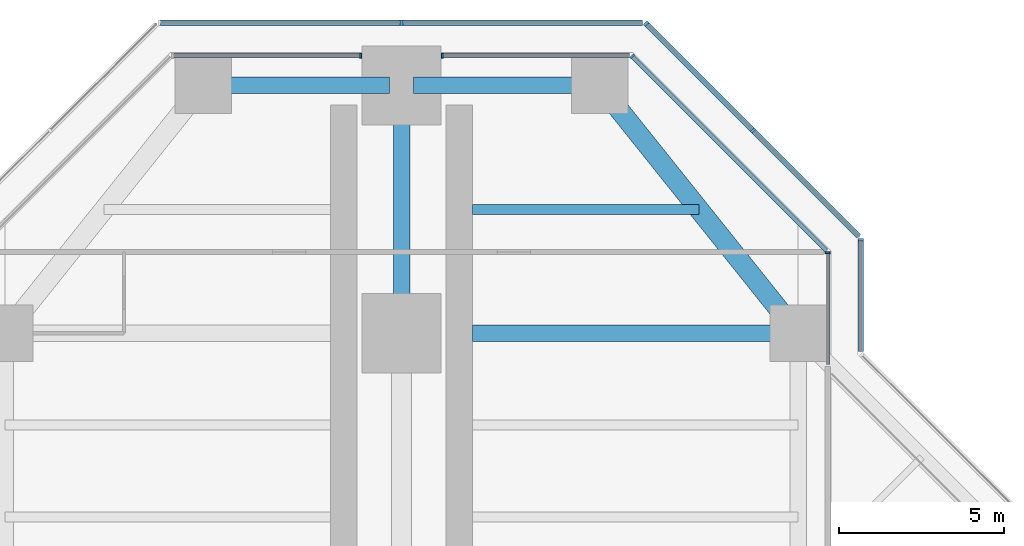
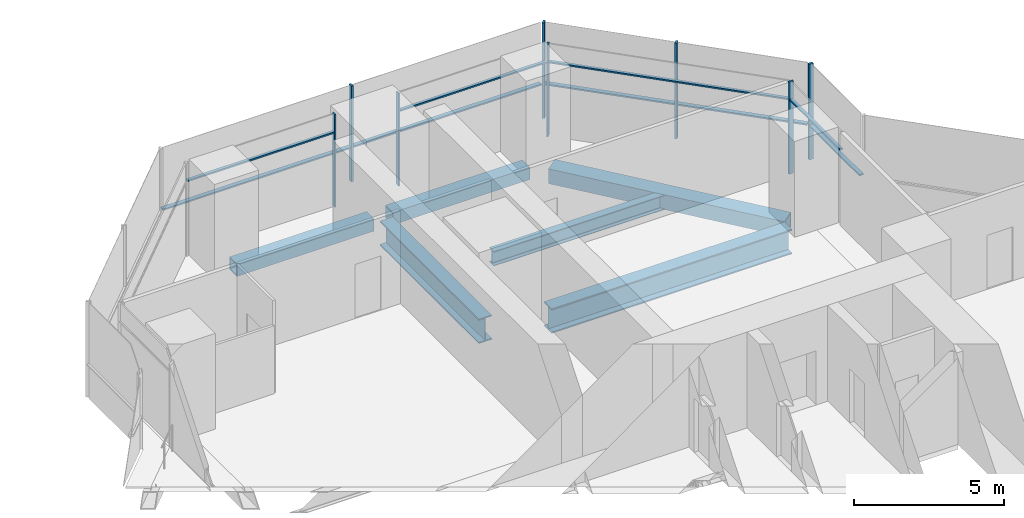
# One storey, part 10 of 20: 17 members, 6 beams, 7 elements without a shape of their own.
"""IFC4 building model written with IfcOpenShell, lengths in metres."""

from ifc_helpers import new_model, si_unit, direction, frame, origin, origin_2d, place, context, subcontext, project, spatial, rectangle, hollow_rectangle, i_section, extrude, material, material_profile, profile_set, type_object, element, aggregate, save


model = new_model("IFC4")

# Units and contexts
model_context = context("Model", 3, precision=1e-05, world=origin(), true_north=direction((0.0, 1.0)))
body_context = subcontext(model_context, "Body", "Model", "MODEL_VIEW")
ifc_project = project(units=[si_unit("LENGTHUNIT", "METRE"), si_unit("AREAUNIT", "SQUARE_METRE"), si_unit("VOLUMEUNIT", "CUBIC_METRE"), si_unit("PLANEANGLEUNIT", "RADIAN"), si_unit("MASSUNIT", "GRAM", prefix="KILO")], contexts=[model_context])

# Site, building, storey
site_placement = place(None, origin())
site = spatial("IfcSite", under=ifc_project, at=site_placement, CompositionType="ELEMENT")
building_placement = place(site_placement, origin())
building = spatial("IfcBuilding", under=site, at=building_placement, Name="Mizan Broadcast Tower", CompositionType="ELEMENT")
storey_placement = place(building_placement, frame((0.0, 0.0, 190.5)))
storey = spatial("IfcBuildingStorey", under=building, at=storey_placement, Name="L44", CompositionType="ELEMENT", Elevation=190.5)

# Beams
ifc_material_1 = material(Name="Steel S355", Category="steel")
ifc_material_profile_1 = material_profile(ifc_material_1, hollow_rectangle(XDim=0.5, YDim=0.5, WallThickness=0.030029296875, at=origin_2d()), Name="BOX 500x500x30")
ifc_profile_set_1 = profile_set([ifc_material_profile_1], Name="Steel S355")
beam_type_1 = type_object("IfcBeamType", Name="EDGE BEAM BOX 500x500x30", PredefinedType="SPANDREL", material=ifc_profile_set_1)
for number, where, z_axis, x_axis, name in (
    (1, (5.639892578125, 27.0, -0.3798828125), (-1.0, 0.0, 0.0), (0.0, -1.0, 0.0), "Edge beam BOX 500x500x30 L44 north arm"),
    (2, (-5.639892578125, 27.0, -0.3798828125), (1.0, 0.0, 0.0), (0.0, 1.0, 0.0), "Edge beam BOX 500x500x30 L44 north arm"),
):
    element("IfcBeam", number, at=place(storey_placement, frame(where, z_axis=z_axis, x_axis=x_axis)), inside=storey, type_object=beam_type_1, Name=name, PredefinedType="SPANDREL", context=body_context, shape_type="SweptSolid", body=[
        extrude(hollow_rectangle(XDim=0.5, YDim=0.5, WallThickness=0.030029296875, at=origin_2d()), origin(), (0.0, 0.0, 1.0), 5.27978515625),
    ])
ifc_material_2 = material(Name="Steel S355", Category="steel")
ifc_material_profile_2 = material_profile(ifc_material_2, hollow_rectangle(XDim=0.60009765625, YDim=0.60009765625, WallThickness=0.030029296875, at=origin_2d()), Name="BOX 600x600x30")
ifc_profile_set_2 = profile_set([ifc_material_profile_2], Name="Steel S355")
beam_type_2 = type_object("IfcBeamType", Name="EDGE BEAM BOX 600x600x30", PredefinedType="SPANDREL", material=ifc_profile_set_2)
beam_1_placement = place(storey_placement, frame((11.639892578125, 19.949951171875, -0.429931640625), z_axis=(-0.624673911726, 0.780885717636, 0.0), x_axis=(-0.780885717636, -0.624673911726, 0.0)))
element("IfcBeam", 3, at=beam_1_placement, inside=storey, type_object=beam_type_2, Name="Edge beam BOX 600x600x30 L44 north arm", PredefinedType="SPANDREL", context=body_context, shape_type="SweptSolid", body=[
    extrude(hollow_rectangle(XDim=0.60009765625, YDim=0.60009765625, WallThickness=0.030029296875, at=origin_2d()), origin(), (0.0, 0.0, 1.0), 8.4521484375),
])
ifc_material_3 = material(Name="Steel S460", Category="steel")
ifc_material_profile_3 = material_profile(ifc_material_3, i_section(OverallWidth=0.5, OverallDepth=1.0, WebThickness=0.02490234375, FlangeThickness=0.050048828125, at=origin_2d()), Name="WPG 1000x500")
ifc_profile_set_3 = profile_set([ifc_material_profile_3], Name="Steel S460")
beam_type_3 = type_object("IfcBeamType", Name="GIRDER WPG 1000x500", PredefinedType="BEAM", material=ifc_profile_set_3)
beam_2_placement = place(storey_placement, frame((0.0, 19.949951171875, -0.6298828125), z_axis=(0.0, 1.0, 0.0), x_axis=(-1.0, 0.0, 0.0)))
element("IfcBeam", 4, at=beam_2_placement, inside=storey, type_object=beam_type_3, Name="Girder WPG 1000x500 L44 north arm", PredefinedType="BEAM", context=body_context, shape_type="SweptSolid", body=[
    extrude(i_section(OverallWidth=0.5, OverallDepth=1.0, WebThickness=0.02490234375, FlangeThickness=0.050048828125, at=origin_2d()), origin(), (0.0, 0.0, 1.0), 6.60009765625),
])
beam_3_placement = place(storey_placement, frame((11.408935546875, 19.5, -0.6298828125), z_axis=(-1.0, 0.0, 0.0), x_axis=(0.0, -1.0, 0.0)))
element("IfcBeam", 5, at=beam_3_placement, inside=storey, type_object=beam_type_3, Name="Girder WPG 1000x500 L44 north arm", PredefinedType="BEAM", context=body_context, shape_type="SweptSolid", body=[
    extrude(i_section(OverallWidth=0.5, OverallDepth=1.0, WebThickness=0.02490234375, FlangeThickness=0.050048828125, at=origin_2d()), origin(), (0.0, 0.0, 1.0), 9.259033203125),
])

# Curtain wall, member
ifc_material_4 = material(Name="Aluminium framed glazing", Category="aluminium")
curtain_wall_type_1 = type_object("IfcCurtainWallType", Name="INNER SKIN MID ZONE", PredefinedType="USERDEFINED", material=ifc_material_4)
curtain_wall_1_placement = place(storey_placement, origin())
curtain_wall_1 = element("IfcCurtainWall", 6, at=curtain_wall_1_placement, inside=storey, type_object=curtain_wall_type_1, Name="Inner skin mid zone L44 N side", ObjectType="INNER SKIN MID ZONE", PredefinedType="USERDEFINED")
ifc_material_5 = material(Name="Aluminium, pale anodised", Category="aluminium")
ifc_material_profile_4 = material_profile(ifc_material_5, rectangle(XDim=0.159912109375, YDim=0.06005859375, at=origin_2d()), Name="MULLION 160x60")
ifc_profile_set_4 = profile_set([ifc_material_profile_4], Name="Aluminium, pale anodised")
member_type_1 = type_object("IfcMemberType", Name="INNER SKIN MULLION 60x160", PredefinedType="MULLION", material=ifc_profile_set_4)
member_1_placement = place(storey_placement, frame((12.89990234375, 21.928466796875, 0.0), z_axis=(0.0, 0.0, 1.0), x_axis=(-1.0, 0.0, 0.0)))
member_1 = element("IfcMember", 7, at=member_1_placement, type_object=member_type_1, Name="Inner skin mid zone L44 N side mullion 2", PredefinedType="MULLION", context=body_context, shape_type="SweptSolid", body=[
    extrude(rectangle(XDim=0.159912109375, YDim=0.06005859375, at=origin_2d()), origin(), (0.0, 0.0, 1.0), 3.77001953125),
])

curtain_wall_2_placement = place(storey_placement, origin())
curtain_wall_2 = element("IfcCurtainWall", 8, at=curtain_wall_2_placement, inside=storey, type_object=curtain_wall_type_1, Name="Inner skin mid zone L44 N chamfer", ObjectType="INNER SKIN MID ZONE", PredefinedType="USERDEFINED")
member_2_placement = place(storey_placement, frame((6.979736328125, 27.87890625, 0.0), z_axis=(0.0, 0.0, 1.0), x_axis=(-0.707106781187, -0.707106781187, 0.0)))
member_2 = element("IfcMember", 9, at=member_2_placement, type_object=member_type_1, Name="Inner skin mid zone L44 N chamfer mullion 2", PredefinedType="MULLION", context=body_context, shape_type="SweptSolid", body=[
    extrude(rectangle(XDim=0.159912109375, YDim=0.06005859375, at=origin_2d()), origin(), (0.0, 0.0, 1.0), 3.77001953125),
])

curtain_wall_3_placement = place(storey_placement, origin())
curtain_wall_3 = element("IfcCurtainWall", 10, at=curtain_wall_3_placement, inside=storey, type_object=curtain_wall_type_1, Name="Inner skin mid zone L44 N end", ObjectType="INNER SKIN MID ZONE", PredefinedType="USERDEFINED")
member_3_placement = place(storey_placement, frame((1.22998046875, 27.89990234375, 0.0), z_axis=(0.0, 0.0, 1.0), x_axis=(0.0, -1.0, 0.0)))
member_3 = element("IfcMember", 11, at=member_3_placement, type_object=member_type_1, Name="Inner skin mid zone L44 N end mullion 2", PredefinedType="MULLION", context=body_context, shape_type="SweptSolid", body=[
    extrude(rectangle(XDim=0.159912109375, YDim=0.06005859375, at=origin_2d()), origin(), (0.0, 0.0, 1.0), 3.77001953125),
])

curtain_wall_4_placement = place(storey_placement, origin())
curtain_wall_4 = element("IfcCurtainWall", 12, at=curtain_wall_4_placement, inside=storey, type_object=curtain_wall_type_1, Name="Inner skin mid zone L44 N end", ObjectType="INNER SKIN MID ZONE", PredefinedType="USERDEFINED")
member_4_placement = place(storey_placement, frame((-1.22998046875, 27.89990234375, 0.0), z_axis=(0.0, 0.0, 1.0), x_axis=(0.0, -1.0, 0.0)))
member_4 = element("IfcMember", 13, at=member_4_placement, type_object=member_type_1, Name="Inner skin mid zone L44 N end mullion 1", PredefinedType="MULLION", context=body_context, shape_type="SweptSolid", body=[
    extrude(rectangle(XDim=0.159912109375, YDim=0.06005859375, at=origin_2d()), origin(), (0.0, 0.0, 1.0), 3.77001953125),
])

# Member
ifc_material_6 = material(Name="Aluminium, pale anodised", Category="aluminium")
ifc_material_profile_5 = material_profile(ifc_material_6, rectangle(XDim=0.1201171875, YDim=0.06005859375, at=origin_2d()), Name="TRANSOM 120x60")
ifc_profile_set_5 = profile_set([ifc_material_profile_5], Name="Aluminium, pale anodised")
member_type_2 = type_object("IfcMemberType", Name="INNER SKIN TRANSOM 60x120", PredefinedType="USERDEFINED", material=ifc_profile_set_5)
member_5_placement = place(storey_placement, frame((12.89990234375, 18.56005859375, 3.030029296875), z_axis=(0.0, 1.0, 0.0), x_axis=(-1.0, 0.0, 0.0)))
member_5 = element("IfcMember", 14, at=member_5_placement, type_object=member_type_2, Name="Inner skin mid zone L44 N side transom 1.1", ObjectType="TRANSOM", PredefinedType="USERDEFINED", context=body_context, shape_type="SweptSolid", body=[
    extrude(rectangle(XDim=0.1201171875, YDim=0.06005859375, at=origin_2d()), origin(), (0.0, 0.0, 1.0), 3.338623046875),
])

aggregate(curtain_wall_1, [member_1, member_5])

member_6_placement = place(storey_placement, frame((12.857666015625, 22.0009765625, 3.030029296875), z_axis=(-0.707106781187, 0.707106781187, 0.0), x_axis=(-0.707106781187, -0.707106781187, 0.0)))
member_6 = element("IfcMember", 15, at=member_6_placement, type_object=member_type_2, Name="Inner skin mid zone L44 N chamfer transom 1.1", ObjectType="TRANSOM", PredefinedType="USERDEFINED", context=body_context, shape_type="SweptSolid", body=[
    extrude(rectangle(XDim=0.1201171875, YDim=0.06005859375, at=origin_2d()), origin(), (0.0, 0.0, 1.0), 8.28271484375),
])

aggregate(curtain_wall_2, [member_2, member_6])

member_7_placement = place(storey_placement, frame((6.898681640625, 27.89990234375, 3.030029296875), z_axis=(-1.0, 0.0, 0.0), x_axis=(0.0, -1.0, 0.0)))
member_7 = element("IfcMember", 16, at=member_7_placement, type_object=member_type_2, Name="Inner skin mid zone L44 N end transom 1.1", ObjectType="TRANSOM", PredefinedType="USERDEFINED", context=body_context, shape_type="SweptSolid", body=[
    extrude(rectangle(XDim=0.1201171875, YDim=0.06005859375, at=origin_2d()), origin(), (0.0, 0.0, 1.0), 5.638671875),
])

aggregate(curtain_wall_3, [member_3, member_7])

member_8_placement = place(storey_placement, frame((-1.260009765625, 27.89990234375, 3.030029296875), z_axis=(-1.0, 0.0, 0.0), x_axis=(0.0, -1.0, 0.0)))
member_8 = element("IfcMember", 17, at=member_8_placement, type_object=member_type_2, Name="Inner skin mid zone L44 N end transom 1.1", ObjectType="TRANSOM", PredefinedType="USERDEFINED", context=body_context, shape_type="SweptSolid", body=[
    extrude(rectangle(XDim=0.1201171875, YDim=0.06005859375, at=origin_2d()), origin(), (0.0, 0.0, 1.0), 5.638671875),
])

aggregate(curtain_wall_4, [member_4, member_8])

# Curtain wall, member
ifc_material_7 = material(Name="Aluminium framed glazing", Category="aluminium")
curtain_wall_type_2 = type_object("IfcCurtainWallType", Name="OUTER SKIN", PredefinedType="USERDEFINED", material=ifc_material_7)
curtain_wall_5_placement = place(storey_placement, origin())
curtain_wall_5 = element("IfcCurtainWall", 18, at=curtain_wall_5_placement, inside=storey, type_object=curtain_wall_type_2, Name="Outer skin L44 N side", ObjectType="OUTER SKIN", PredefinedType="USERDEFINED")
ifc_material_8 = material(Name="Aluminium, pale anodised", Category="aluminium")
ifc_material_profile_6 = material_profile(ifc_material_8, rectangle(XDim=0.159912109375, YDim=0.080078125, at=origin_2d()), Name="MULLION 160x80")
ifc_profile_set_6 = profile_set([ifc_material_profile_6], Name="Aluminium, pale anodised")
member_type_3 = type_object("IfcMemberType", Name="OUTER SKIN MULLION 80x160", PredefinedType="MULLION", material=ifc_profile_set_6)
member_9_placement = place(storey_placement, frame((13.89990234375, 22.332763671875, 0.0), z_axis=(0.0, 0.0, 1.0), x_axis=(-1.0, 0.0, 0.0)))
member_9 = element("IfcMember", 19, at=member_9_placement, type_object=member_type_3, Name="Outer skin L44 N side mullion 2", PredefinedType="MULLION", context=body_context, shape_type="SweptSolid", body=[
    extrude(rectangle(XDim=0.159912109375, YDim=0.080078125, at=origin_2d()), origin(), (0.0, 0.0, 1.0), 3.89990234375),
])

# Curtain wall, members
curtain_wall_6_placement = place(storey_placement, origin())
curtain_wall_6 = element("IfcCurtainWall", 20, at=curtain_wall_6_placement, inside=storey, type_object=curtain_wall_type_2, Name="Outer skin L44 N chamfer", ObjectType="OUTER SKIN", PredefinedType="USERDEFINED")
member_10_placement = place(storey_placement, frame((10.636474609375, 25.636474609375, 0.0), z_axis=(0.0, 0.0, 1.0), x_axis=(-0.707106781187, -0.707106781187, 0.0)))
member_10 = element("IfcMember", 21, at=member_10_placement, type_object=member_type_3, Name="Outer skin L44 N chamfer mullion 2", PredefinedType="MULLION", context=body_context, shape_type="SweptSolid", body=[
    extrude(rectangle(XDim=0.159912109375, YDim=0.080078125, at=origin_2d()), origin(), (0.0, 0.0, 1.0), 3.89990234375),
])
member_11_placement = place(storey_placement, frame((7.401123046875, 28.871826171875, 0.0), z_axis=(0.0, 0.0, 1.0), x_axis=(-0.707106781187, -0.707106781187, 0.0)))
member_11 = element("IfcMember", 22, at=member_11_placement, type_object=member_type_3, Name="Outer skin L44 N chamfer mullion 3", PredefinedType="MULLION", context=body_context, shape_type="SweptSolid", body=[
    extrude(rectangle(XDim=0.159912109375, YDim=0.080078125, at=origin_2d()), origin(), (0.0, 0.0, 1.0), 3.89990234375),
])

# Curtain wall, member
curtain_wall_7_placement = place(storey_placement, origin())
curtain_wall_7 = element("IfcCurtainWall", 23, at=curtain_wall_7_placement, inside=storey, type_object=curtain_wall_type_2, Name="Outer skin L44 N end", ObjectType="OUTER SKIN", PredefinedType="USERDEFINED")
member_12_placement = place(storey_placement, frame((0.0, 28.89990234375, 0.0), z_axis=(0.0, 0.0, 1.0), x_axis=(0.0, -1.0, 0.0)))
member_12 = element("IfcMember", 24, at=member_12_placement, type_object=member_type_3, Name="Outer skin L44 N end mullion 2", PredefinedType="MULLION", context=body_context, shape_type="SweptSolid", body=[
    extrude(rectangle(XDim=0.159912109375, YDim=0.080078125, at=origin_2d()), origin(), (0.0, 0.0, 1.0), 3.89990234375),
])

# Member
ifc_material_9 = material(Name="Aluminium, pale anodised", Category="aluminium")
ifc_material_profile_7 = material_profile(ifc_material_9, rectangle(XDim=0.159912109375, YDim=0.06005859375, at=origin_2d()), Name="TRANSOM 160x60")
ifc_profile_set_7 = profile_set([ifc_material_profile_7], Name="Aluminium, pale anodised")
member_type_4 = type_object("IfcMemberType", Name="OUTER SKIN TRANSOM 60x160", PredefinedType="USERDEFINED", material=ifc_profile_set_7)
member_13_placement = place(storey_placement, frame((13.89990234375, 18.952880859375, 1.39990234375), z_axis=(0.0, 1.0, 0.0), x_axis=(-1.0, 0.0, 0.0)))
member_13 = element("IfcMember", 25, at=member_13_placement, type_object=member_type_4, Name="Outer skin L44 N side transom 1.1", ObjectType="TRANSOM", PredefinedType="USERDEFINED", context=body_context, shape_type="SweptSolid", body=[
    extrude(rectangle(XDim=0.159912109375, YDim=0.06005859375, at=origin_2d()), origin(), (0.0, 0.0, 1.0), 3.33984375),
])

aggregate(curtain_wall_5, [member_9, member_13])

member_14_placement = place(storey_placement, frame((13.843505859375, 22.429443359375, 1.39990234375), z_axis=(-0.707106781187, 0.707106781187, 0.0), x_axis=(-0.707106781187, -0.707106781187, 0.0)))
member_14 = element("IfcMember", 26, at=member_14_placement, type_object=member_type_4, Name="Outer skin L44 N chamfer transom 1.1", ObjectType="TRANSOM", PredefinedType="USERDEFINED", context=body_context, shape_type="SweptSolid", body=[
    extrude(rectangle(XDim=0.159912109375, YDim=0.06005859375, at=origin_2d()), origin(), (0.0, 0.0, 1.0), 4.495361328125),
])

member_15_placement = place(storey_placement, frame((10.608154296875, 25.664794921875, 1.39990234375), z_axis=(-0.707106781187, 0.707106781187, 0.0), x_axis=(-0.707106781187, -0.707106781187, 0.0)))
member_15 = element("IfcMember", 27, at=member_15_placement, type_object=member_type_4, Name="Outer skin L44 N chamfer transom 2.1", ObjectType="TRANSOM", PredefinedType="USERDEFINED", context=body_context, shape_type="SweptSolid", body=[
    extrude(rectangle(XDim=0.159912109375, YDim=0.06005859375, at=origin_2d()), origin(), (0.0, 0.0, 1.0), 4.495361328125),
])

aggregate(curtain_wall_6, [member_10, member_11, member_14, member_15])

member_16_placement = place(storey_placement, frame((7.292724609375, 28.89990234375, 1.39990234375), z_axis=(-1.0, 0.0, 0.0), x_axis=(0.0, -1.0, 0.0)))
member_16 = element("IfcMember", 28, at=member_16_placement, type_object=member_type_4, Name="Outer skin L44 N end transom 1.1", ObjectType="TRANSOM", PredefinedType="USERDEFINED", context=body_context, shape_type="SweptSolid", body=[
    extrude(rectangle(XDim=0.159912109375, YDim=0.06005859375, at=origin_2d()), origin(), (0.0, 0.0, 1.0), 7.252685546875),
])

member_17_placement = place(storey_placement, frame((-0.0400390625, 28.89990234375, 1.39990234375), z_axis=(-1.0, 0.0, 0.0), x_axis=(0.0, -1.0, 0.0)))
member_17 = element("IfcMember", 29, at=member_17_placement, type_object=member_type_4, Name="Outer skin L44 N end transom 2.1", ObjectType="TRANSOM", PredefinedType="USERDEFINED", context=body_context, shape_type="SweptSolid", body=[
    extrude(rectangle(XDim=0.159912109375, YDim=0.06005859375, at=origin_2d()), origin(), (0.0, 0.0, 1.0), 7.252685546875),
])

aggregate(curtain_wall_7, [member_12, member_16, member_17])

# Beam
ifc_material_10 = material(Name="Steel S355", Category="steel")
ifc_material_profile_8 = material_profile(ifc_material_10, i_section(OverallWidth=0.300048828125, OverallDepth=0.590087890625, WebThickness=0.012939453125, FlangeThickness=0.02490234375, FilletRadius=0.027099609375, at=origin_2d()), Name="HEA 600")
ifc_profile_set_8 = profile_set([ifc_material_profile_8], Name="Steel S355")
beam_type_4 = type_object("IfcBeamType", Name="SECONDARY BEAM HEA 600", PredefinedType="JOIST", material=ifc_profile_set_8)
beam_4_placement = place(storey_placement, frame((9.0, 23.25, -0.425048828125), z_axis=(-1.0, 0.0, 0.0), x_axis=(0.0, -1.0, 0.0)))
element("IfcBeam", 30, at=beam_4_placement, inside=storey, type_object=beam_type_4, Name="Secondary beam HEA 600 L44 north arm", PredefinedType="JOIST", context=body_context, shape_type="SweptSolid", body=[
    extrude(i_section(OverallWidth=0.300048828125, OverallDepth=0.590087890625, WebThickness=0.012939453125, FlangeThickness=0.02490234375, FilletRadius=0.027099609375, at=origin_2d()), origin(), (0.0, 0.0, 1.0), 6.85009765625),
])

save(model, "model.ifc")
